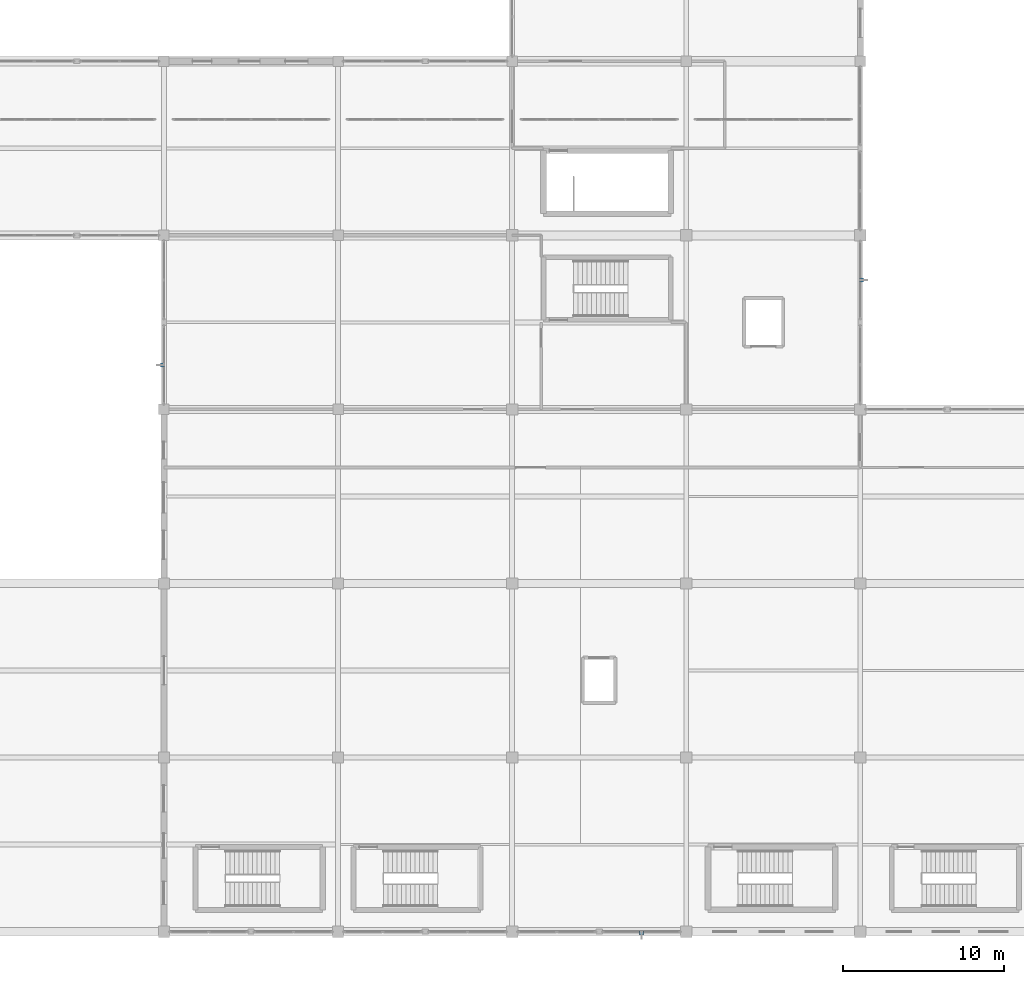
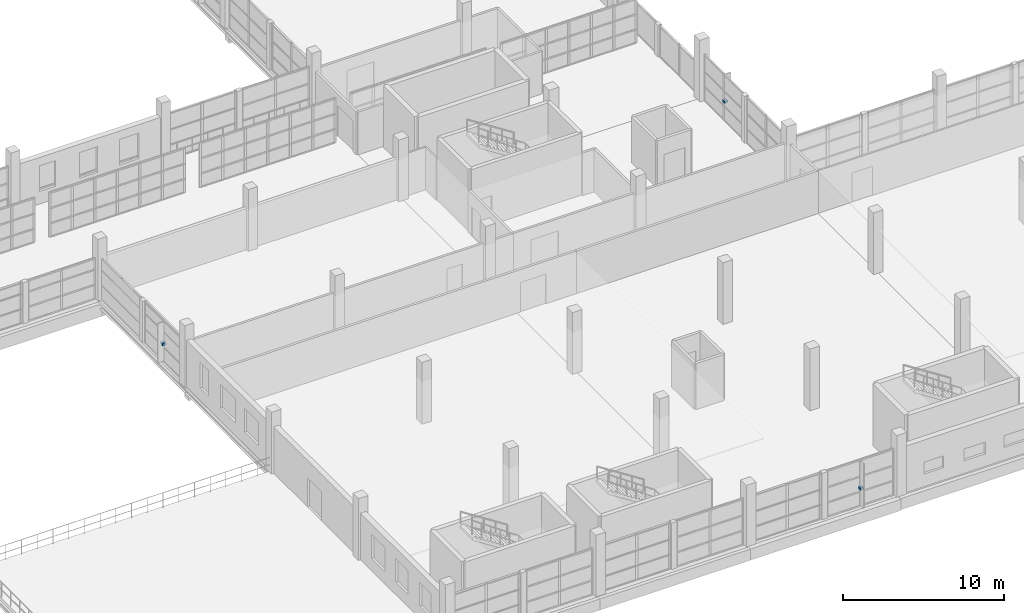
# One storey, part 125 of 142: 3 discrete accessories.
"""IFC4 building model written with IfcOpenShell, lengths in metres."""

from ifc_helpers import new_model, si_unit, direction, frame, origin, origin_2d, place, context, subcontext, project, spatial, rectangle, extrude, material, type_object, element, save


model = new_model("IFC4")

# Units and contexts
model_context = context("Model", 3, precision=1e-05, world=origin(), true_north=direction((0.0, 1.0)))
body_context = subcontext(model_context, "Body", "Model", "MODEL_VIEW")
ifc_project = project(units=[si_unit("LENGTHUNIT", "METRE"), si_unit("AREAUNIT", "SQUARE_METRE"), si_unit("VOLUMEUNIT", "CUBIC_METRE"), si_unit("PLANEANGLEUNIT", "RADIAN"), si_unit("MASSUNIT", "GRAM", prefix="KILO")], contexts=[model_context])

# Site, building, storey
site_placement = place(None, origin())
site = spatial("IfcSite", under=ifc_project, at=site_placement, CompositionType="ELEMENT")
building_placement = place(site_placement, origin())
building = spatial("IfcBuilding", under=site, at=building_placement, Name="Zwinboog Wholesale Market", CompositionType="ELEMENT")
storey_placement = place(building_placement, frame((0.0, 0.0, 5.39990234375)))
storey = spatial("IfcBuildingStorey", under=building, at=storey_placement, Name="L01", CompositionType="ELEMENT", Elevation=5.39990234375)

# Discrete accessories
ifc_material = material(Name="Steel S355", Category="steel")
discrete_accessory_type = type_object("IfcDiscreteAccessoryType", Name="ACC-BRK-S355", PredefinedType="BRACKET", material=ifc_material)
for number, where, z_axis, x_axis, name in (
    (1, (129.510009765625, 35.159912109375, 1.31005859375), (0.0, 0.0, 1.0), (1.0, 0.0, 0.0), "BK-01 (ACC-FBRK-035)"),
    (2, (159.2275390625, -0.074951171875, 1.31005859375), (0.0, 0.0, 1.0), (1.0, 0.0, 0.0), "BK-01 (ACC-FBRK-037)"),
    (3, (172.875, 40.427490234375, 1.31005859375), (0.0, 0.0, 1.0), (1.0, 0.0, 0.0), "BK-01 (ACC-FBRK-039)"),
):
    element("IfcDiscreteAccessory", number, at=place(storey_placement, frame(where, z_axis=z_axis, x_axis=x_axis)), inside=storey, type_object=discrete_accessory_type, Name=name, PredefinedType="BRACKET", context=body_context, shape_type="SweptSolid", body=[
        extrude(rectangle(XDim=0.239990234375, YDim=0.239990234375, at=origin_2d()), origin(), (0.0, 0.0, 1.0), 0.179931640625),
    ])

save(model, "model.ifc")
